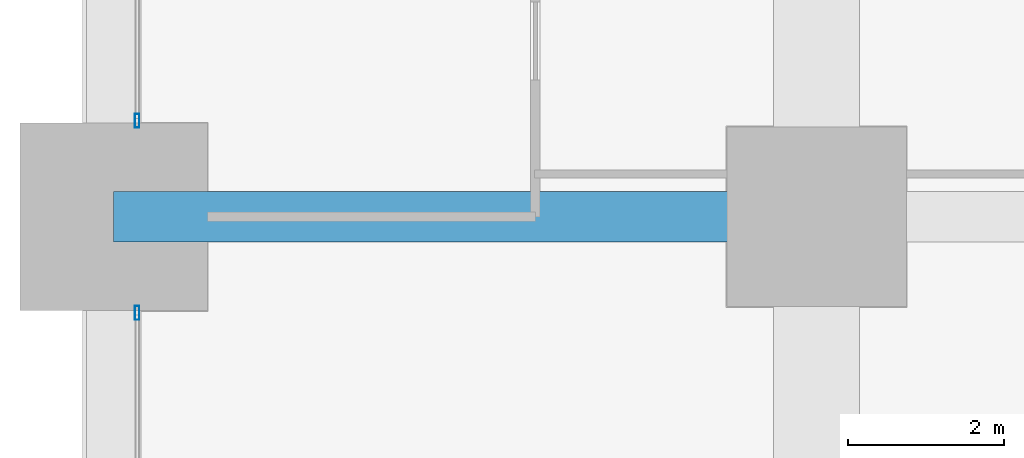
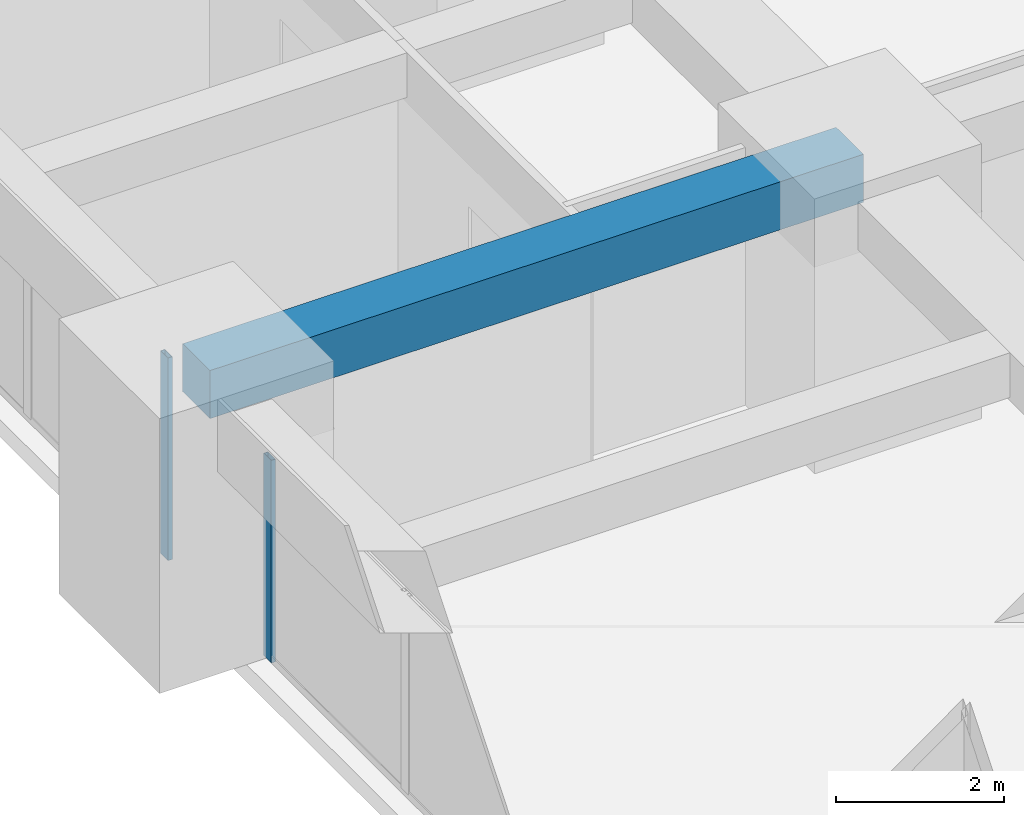
# One storey, part 23 of 44: 2 members, 1 beam, 2 elements without a shape of their own.
"""IFC4 building model written with IfcOpenShell, lengths in metres."""

from ifc_helpers import new_model, si_unit, direction, frame, origin, origin_2d, place, context, subcontext, project, spatial, rectangle, hollow_rectangle, extrude, material, material_profile, profile_set, type_object, element, aggregate, save


model = new_model("IFC4")

# Units and contexts
model_context = context("Model", 3, precision=1e-05, world=origin(), true_north=direction((0.0, 1.0)))
body_context = subcontext(model_context, "Body", "Model", "MODEL_VIEW")
ifc_project = project(units=[si_unit("LENGTHUNIT", "METRE"), si_unit("AREAUNIT", "SQUARE_METRE"), si_unit("VOLUMEUNIT", "CUBIC_METRE"), si_unit("PLANEANGLEUNIT", "RADIAN"), si_unit("MASSUNIT", "GRAM", prefix="KILO")], contexts=[model_context])

# Site, building, storey
site_placement = place(None, origin())
site = spatial("IfcSite", under=ifc_project, at=site_placement, CompositionType="ELEMENT")
building_placement = place(site_placement, origin())
building = spatial("IfcBuilding", under=site, at=building_placement, Name="Zorevar Civic Tower", CompositionType="ELEMENT")
storey_placement = place(building_placement, frame((0.0, 0.0, 35.800048828125)))
storey = spatial("IfcBuildingStorey", under=building, at=storey_placement, Name="L08", CompositionType="ELEMENT", Elevation=35.800048828125)

# Beam
ifc_material_1 = material(Name="Concrete C50/60", Category="concrete")
ifc_material_profile_1 = material_profile(ifc_material_1, rectangle(XDim=0.64990234375, YDim=0.699951171875, at=origin_2d()), Name="RC 650x700")
ifc_profile_set_1 = profile_set([ifc_material_profile_1], Name="Concrete C50/60")
beam_type = type_object("IfcBeamType", Name="Beam RC 650x700", PredefinedType="BEAM", material=ifc_profile_set_1)
beam_placement = place(storey_placement, frame((0.0, 36.0, 3.39990234375), z_axis=(1.0, 0.0, 0.0), x_axis=(0.0, 1.0, 0.0)))
element("IfcBeam", 1, at=beam_placement, inside=storey, type_object=beam_type, Name="Girder L09", PredefinedType="BEAM", context=body_context, shape_type="SweptSolid", body=[
    extrude(rectangle(XDim=0.64990234375, YDim=0.699951171875, at=origin_2d()), origin(), (0.0, 0.0, 1.0), 9.0),
])

# Curtain wall, member
ifc_material_2 = material(Name="Dark grey solar-control glass in black aluminium frame", Category="aluminium")
curtain_wall_type = type_object("IfcCurtainWallType", Name="Curtain wall CW2 low zone", PredefinedType="NOTDEFINED", material=ifc_material_2)
curtain_wall_1_placement = place(storey_placement, origin())
curtain_wall_1 = element("IfcCurtainWall", 2, at=curtain_wall_1_placement, inside=storey, type_object=curtain_wall_type, Name="CW2 L08", PredefinedType="NOTDEFINED")
ifc_material_3 = material(Name="Aluminium, black anodised", Category="aluminium")
ifc_material_profile_2 = material_profile(ifc_material_3, hollow_rectangle(XDim=0.06005859375, YDim=0.179931640625, WallThickness=0.00390625, at=origin_2d()), Name="AL 180x60x4")
ifc_profile_set_2 = profile_set([ifc_material_profile_2], Name="Aluminium, black anodised")
member_type = type_object("IfcMemberType", Name="CW2 mullion AL 180x60x4", PredefinedType="MULLION", material=ifc_profile_set_2)
member_1_placement = place(storey_placement, frame((0.300048828125, 34.77001953125, 0.0), z_axis=(0.0, 0.0, 1.0), x_axis=(-1.0, 0.0, 0.0)))
member_1 = element("IfcMember", 3, at=member_1_placement, type_object=member_type, Name="CW2 mullion 3", PredefinedType="MULLION", context=body_context, shape_type="SweptSolid", body=[
    extrude(hollow_rectangle(XDim=0.06005859375, YDim=0.179931640625, WallThickness=0.00390625, at=origin_2d()), origin(), (0.0, 0.0, 1.0), 2.949951171875),
])
aggregate(curtain_wall_1, [member_1])

curtain_wall_2_placement = place(storey_placement, origin())
curtain_wall_2 = element("IfcCurtainWall", 4, at=curtain_wall_2_placement, inside=storey, type_object=curtain_wall_type, Name="CW2 L08", PredefinedType="NOTDEFINED")
member_2_placement = place(storey_placement, frame((0.300048828125, 37.22998046875, 0.0), z_axis=(0.0, 0.0, 1.0), x_axis=(-1.0, 0.0, 0.0)))
member_2 = element("IfcMember", 5, at=member_2_placement, type_object=member_type, Name="CW2 mullion 1", PredefinedType="MULLION", context=body_context, shape_type="SweptSolid", body=[
    extrude(hollow_rectangle(XDim=0.06005859375, YDim=0.179931640625, WallThickness=0.00390625, at=origin_2d()), origin(), (0.0, 0.0, 1.0), 2.949951171875),
])
aggregate(curtain_wall_2, [member_2])

save(model, "model.ifc")
